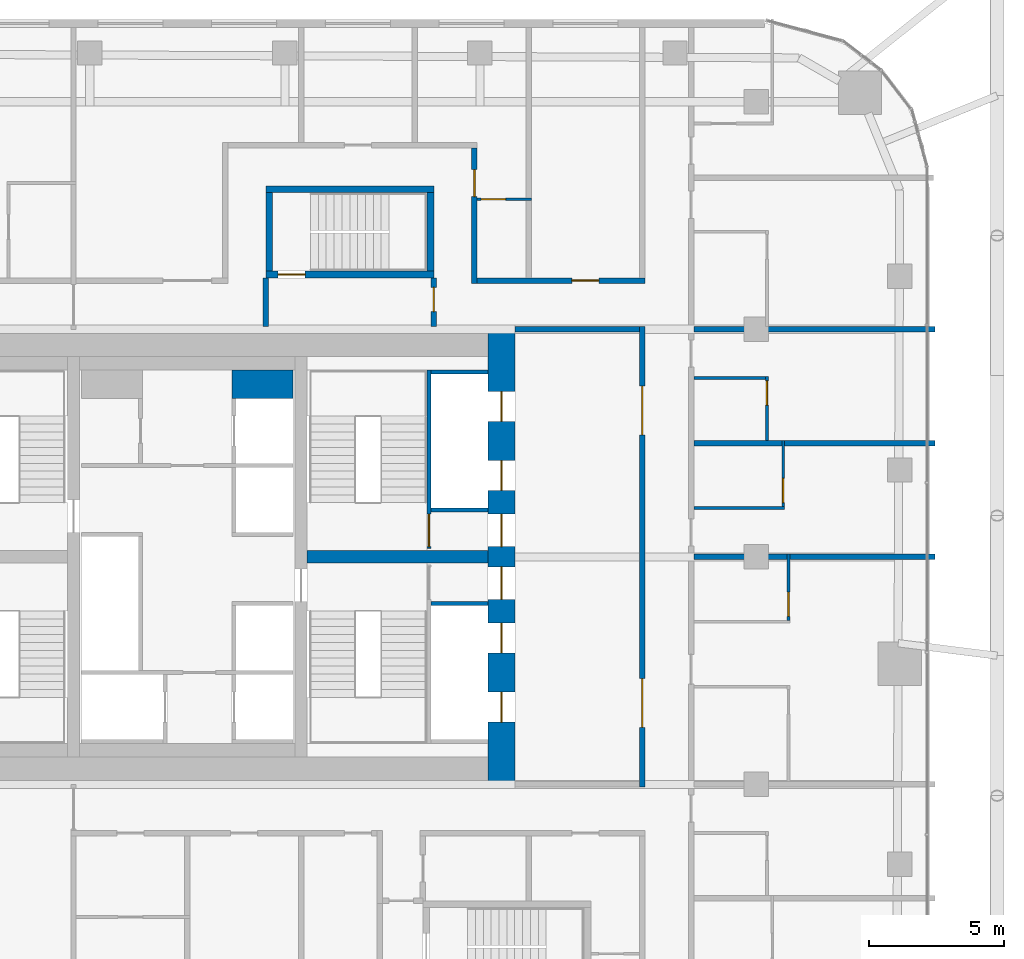
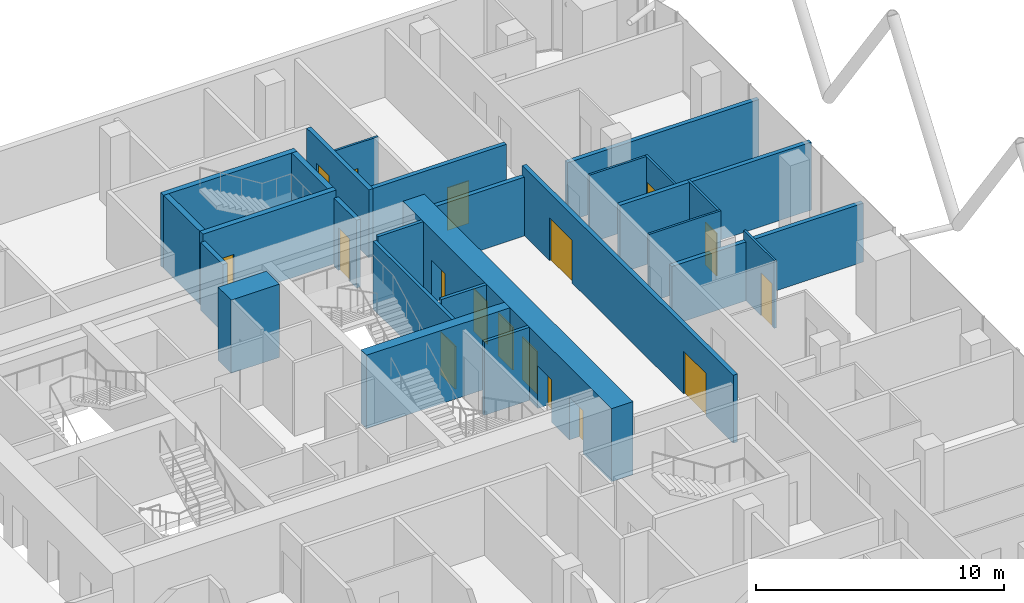
# One storey, part 33 of 36: 26 walls, 17 doors, 17 openings.
"""IFC4 building model written with IfcOpenShell, lengths in metres."""

from ifc_helpers import new_model, si_unit, direction, frame, frame_2d, origin, place, context, subcontext, project, spatial, rectangle, extrude, material, layer, layer_set, type_object, element, fill, save


model = new_model("IFC4")

# Units and contexts
model_context = context("Model", 3, precision=1e-05, world=origin(), true_north=direction((0.0, 1.0)))
body_context = subcontext(model_context, "Body", "Model", "MODEL_VIEW")
ifc_project = project(units=[si_unit("LENGTHUNIT", "METRE"), si_unit("AREAUNIT", "SQUARE_METRE"), si_unit("VOLUMEUNIT", "CUBIC_METRE"), si_unit("PLANEANGLEUNIT", "RADIAN"), si_unit("MASSUNIT", "GRAM", prefix="KILO")], contexts=[model_context])

# Site, building, storey
site_placement = place(None, origin())
site = spatial("IfcSite", under=ifc_project, at=site_placement, CompositionType="ELEMENT")
building_placement = place(site_placement, origin())
building = spatial("IfcBuilding", under=site, at=building_placement, Name="Marenta Gate Hotel Tower", CompositionType="ELEMENT")
storey_placement = place(building_placement, frame((0.0, 0.0, 130.10009765625)))
storey = spatial("IfcBuildingStorey", under=building, at=storey_placement, Name="L29", CompositionType="ELEMENT", Elevation=130.10009765625)

# Wall, openings, doors
ifc_material_1 = material(Name="Concrete blockwork", Category="masonry")
ifc_layer_1 = layer(ifc_material_1, 0.199951171875)
ifc_layer_set_1 = layer_set([ifc_layer_1], Name="Concrete blockwork")
wall_type_1 = type_object("IfcWallType", Name="Core boundary wall 200 REI 180", PredefinedType="PARTITIONING", material=ifc_layer_set_1)
wall_1_placement = place(storey_placement, frame((16.800048828125, -0.10009765625, 0.0), z_axis=(0.0, 0.0, 1.0), x_axis=(0.0, 1.0, 0.0)))
wall_1 = element("IfcWall", 1, at=wall_1_placement, inside=storey, type_object=wall_type_1, Name="L29-CP-BW-E", PredefinedType="PARTITIONING", context=body_context, shape_type="SweptSolid", body=[
    extrude(rectangle(XDim=17.0, YDim=0.199951171875, at=frame_2d((8.5, 0.0))), origin(), (0.0, 0.0, 1.0), 3.33984375),
])
opening_1_placement = place(wall_1_placement, frame((2.199951171875, 0.0, 0.0)))
opening_1 = element("IfcOpeningElement", 2, at=opening_1_placement, cuts=wall_1, Name="Opening ED-Ea-B", PredefinedType="OPENING", context=body_context, shape_type="SweptSolid", body=[
    extrude(rectangle(XDim=1.800048828125, YDim=2.10009765625, at=frame_2d((0.89990234375, 1.050048828125))), frame((0.0, 0.10009765625, 0.0), z_axis=(0.0, -1.0, 0.0), x_axis=(1.0, 0.0, 0.0)), (0.0, 0.0, 1.0), 0.199951171875),
])
opening_2_placement = place(wall_1_placement, frame((13.0, 0.0, 0.0)))
opening_2 = element("IfcOpeningElement", 3, at=opening_2_placement, cuts=wall_1, Name="Opening ED-Eb-B", PredefinedType="OPENING", context=body_context, shape_type="SweptSolid", body=[
    extrude(rectangle(XDim=1.800048828125, YDim=2.10009765625, at=frame_2d((0.89990234375, 1.050048828125))), frame((0.0, 0.10009765625, 0.0), z_axis=(0.0, -1.0, 0.0), x_axis=(1.0, 0.0, 0.0)), (0.0, 0.0, 1.0), 0.199951171875),
])
ifc_material_2 = material(Name="Steel", Category="steel")
door_type_1 = type_object("IfcDoorType", Name="Core lobby entrance door 1800x2100 EI 60", OperationType="DOUBLE_DOOR_SINGLE_SWING", PredefinedType="DOOR", material=ifc_material_2)
door_1_placement = place(opening_1_placement, origin())
door_1 = element("IfcDoor", 4, at=door_1_placement, inside=storey, type_object=door_type_1, Name="ED-Ea-B", OperationType="DOUBLE_DOOR_SINGLE_SWING", OverallHeight=2.10009765625, OverallWidth=1.800048828125, PredefinedType="DOOR", context=body_context, shape_type="SweptSolid", body=[
    extrude(rectangle(XDim=1.800048828125, YDim=2.10009765625, at=frame_2d((0.89990234375, 1.050048828125))), frame((0.0, 0.02490234375, 0.0), z_axis=(0.0, -1.0, 0.0), x_axis=(1.0, 0.0, 0.0)), (0.0, 0.0, 1.0), 0.050048828125),
])
fill(opening_1, door_1)
door_2_placement = place(opening_2_placement, origin())
door_2 = element("IfcDoor", 5, at=door_2_placement, inside=storey, type_object=door_type_1, Name="ED-Eb-B", OperationType="DOUBLE_DOOR_SINGLE_SWING", OverallHeight=2.10009765625, OverallWidth=1.800048828125, PredefinedType="DOOR", context=body_context, shape_type="SweptSolid", body=[
    extrude(rectangle(XDim=1.800048828125, YDim=2.10009765625, at=frame_2d((0.89990234375, 1.050048828125))), frame((0.0, 0.02490234375, 0.0), z_axis=(0.0, -1.0, 0.0), x_axis=(1.0, 0.0, 0.0)), (0.0, 0.0, 1.0), 0.050048828125),
])
fill(opening_2, door_2)

# Walls
wall_2_placement = place(storey_placement, frame((12.10009765625, 16.800048828125, 0.0), z_axis=(0.0, 0.0, 1.0), x_axis=(1.0, 0.0, 0.0)))
element("IfcWall", 6, at=wall_2_placement, inside=storey, type_object=wall_type_1, Name="L29-CP-EW-EN", PredefinedType="PARTITIONING", context=body_context, shape_type="SweptSolid", body=[
    extrude(rectangle(XDim=4.599853515625, YDim=0.199951171875, at=frame_2d((2.2998046875, 0.0))), origin(), (0.0, 0.0, 1.0), 2.889892578125),
])
ifc_material_3 = material(Name="Concrete C40", Category="concrete")
ifc_layer_2 = layer(ifc_material_3, 1.050048828125)
ifc_layer_set_2 = layer_set([ifc_layer_2], Name="Concrete C40")
wall_type_2 = type_object("IfcWallType", Name="Core shaft wall 1050 REI 180", PredefinedType="SHEAR", material=ifc_layer_set_2)
wall_3_placement = place(storey_placement, frame((1.64990234375, 14.77490234375, 0.0), z_axis=(0.0, 0.0, 1.0), x_axis=(1.0, 0.0, 0.0)))
element("IfcWall", 7, at=wall_3_placement, inside=storey, type_object=wall_type_2, Name="L29-SHF-CE-N-top", PredefinedType="SHEAR", context=body_context, shape_type="SweptSolid", body=[
    extrude(rectangle(XDim=2.25, YDim=1.050048828125, at=frame_2d((1.125, 0.0))), origin(), (0.0, 0.0, 1.0), 3.599853515625),
])
ifc_material_4 = material(Name="Concrete C40", Category="concrete")
ifc_layer_3 = layer(ifc_material_4, 0.14990234375)
ifc_layer_set_3 = layer_set([ifc_layer_3], Name="Concrete C40")
wall_type_3 = type_object("IfcWallType", Name="Core shaft wall 150 REI 180", PredefinedType="SHEAR", material=ifc_layer_set_3)
for number, where, z_axis, x_axis, name in (
    (8, (9.0, 6.675048828125, 0.0), (0.0, 0.0, 1.0), (1.0, 0.0, 0.0), "L29-SHF-SW-ES-2"),
    (9, (9.0, 10.125, 0.0), (0.0, 0.0, 1.0), (1.0, 0.0, 0.0), "L29-SHF-SW-EN-2"),
    (10, (9.0, 15.22509765625, 0.0), (0.0, 0.0, 1.0), (1.0, 0.0, 0.0), "L29-SHF-SW-EN-5"),
):
    element("IfcWall", number, at=place(storey_placement, frame(where, z_axis=z_axis, x_axis=x_axis)), inside=storey, type_object=wall_type_3, Name=name, PredefinedType="SHEAR", context=body_context, shape_type="SweptSolid", body=[
        extrude(rectangle(XDim=2.10009765625, YDim=0.14990234375, at=frame_2d((1.050048828125, 0.0))), origin(), (0.0, 0.0, 1.0), 3.599853515625),
    ])

# Wall, opening, door
ifc_material_5 = material(Name="Concrete C40", Category="concrete")
ifc_layer_4 = layer(ifc_material_5, 0.14990234375)
ifc_layer_set_4 = layer_set([ifc_layer_4], Name="Concrete C40")
wall_type_4 = type_object("IfcWallType", Name="Core stair enclosure wall 150 REI 180", PredefinedType="SHEAR", material=ifc_layer_set_4)
wall_4_placement = place(storey_placement, frame((8.925048828125, 8.699951171875, 0.0), z_axis=(0.0, 0.0, 1.0), x_axis=(0.0, 1.0, 0.0)))
wall_4 = element("IfcWall", 11, at=wall_4_placement, inside=storey, type_object=wall_type_4, Name="L29-SHF-SW-EN-3", PredefinedType="SHEAR", context=body_context, shape_type="SweptSolid", body=[
    extrude(rectangle(XDim=6.60009765625, YDim=0.14990234375, at=frame_2d((3.300048828125, 0.0))), origin(), (0.0, 0.0, 1.0), 3.33984375),
])
opening_3_placement = place(wall_4_placement, frame((0.074951171875, 0.0, 0.0)))
opening_3 = element("IfcOpeningElement", 12, at=opening_3_placement, cuts=wall_4, Name="Opening SD-EN", PredefinedType="OPENING", context=body_context, shape_type="SweptSolid", body=[
    extrude(rectangle(XDim=1.199951171875, YDim=2.10009765625, at=frame_2d((0.60009765625, 1.050048828125))), frame((0.0, 0.074951171875, 0.0), z_axis=(0.0, -1.0, 0.0), x_axis=(1.0, 0.0, 0.0)), (0.0, 0.0, 1.0), 0.14990234375),
])
ifc_material_6 = material(Name="Steel", Category="steel")
door_type_2 = type_object("IfcDoorType", Name="Core stair door 1200x2100 FD60", OperationType="SINGLE_SWING_LEFT", PredefinedType="DOOR", material=ifc_material_6)
door_3_placement = place(opening_3_placement, origin())
door_3 = element("IfcDoor", 13, at=door_3_placement, inside=storey, type_object=door_type_2, Name="SD-EN", OperationType="SINGLE_SWING_LEFT", OverallHeight=2.10009765625, OverallWidth=1.199951171875, PredefinedType="DOOR", context=body_context, shape_type="SweptSolid", body=[
    extrude(rectangle(XDim=1.199951171875, YDim=2.10009765625, at=frame_2d((0.60009765625, 1.050048828125))), frame((0.0, 0.02490234375, 0.0), z_axis=(0.0, -1.0, 0.0), x_axis=(1.0, 0.0, 0.0)), (0.0, 0.0, 1.0), 0.050048828125),
])
fill(opening_3, door_3)

# Wall, openings, doors
ifc_material_7 = material(Name="Concrete C70", Category="concrete")
ifc_layer_5 = layer(ifc_material_7, 1.0)
ifc_layer_set_5 = layer_set([ifc_layer_5], Name="Concrete C70")
wall_type_5 = type_object("IfcWallType", Name="Core wall 1000 C70", PredefinedType="SHEAR", material=ifc_layer_set_5)
wall_5_placement = place(storey_placement, frame((11.60009765625, 0.0, 0.0), z_axis=(0.0, 0.0, 1.0), x_axis=(0.0, 1.0, 0.0)))
wall_5 = element("IfcWall", 14, at=wall_5_placement, inside=storey, type_object=wall_type_5, Name="L29-CORE-E", PredefinedType="SHEAR", context=body_context, shape_type="SweptSolid", body=[
    extrude(rectangle(XDim=16.800048828125, YDim=1.0, at=frame_2d((8.39990234375, 0.0))), origin(), (0.0, 0.0, 1.0), 3.599853515625),
])
opening_4_placement = place(wall_5_placement, frame((2.300048828125, 0.0, 0.0)))
opening_4 = element("IfcOpeningElement", 15, at=opening_4_placement, cuts=wall_5, Name="Opening LD-HR1", PredefinedType="OPENING", context=body_context, shape_type="SweptSolid", body=[
    extrude(rectangle(XDim=1.10009765625, YDim=2.10009765625, at=frame_2d((0.550048828125, 1.050048828125))), frame((0.0, 0.5, 0.0), z_axis=(0.0, -1.0, 0.0), x_axis=(1.0, 0.0, 0.0)), (0.0, 0.0, 1.0), 1.0),
])
opening_5_placement = place(wall_5_placement, frame((4.85009765625, 0.0, 0.0)))
opening_5 = element("IfcOpeningElement", 16, at=opening_5_placement, cuts=wall_5, Name="Opening LD-HR2", PredefinedType="OPENING", context=body_context, shape_type="SweptSolid", body=[
    extrude(rectangle(XDim=1.10009765625, YDim=2.10009765625, at=frame_2d((0.550048828125, 1.050048828125))), frame((0.0, 0.5, 0.0), z_axis=(0.0, -1.0, 0.0), x_axis=(1.0, 0.0, 0.0)), (0.0, 0.0, 1.0), 1.0),
])
opening_6_placement = place(wall_5_placement, frame((6.824951171875, 0.0, 0.0)))
opening_6 = element("IfcOpeningElement", 17, at=opening_6_placement, cuts=wall_5, Name="Opening PD-ES", PredefinedType="OPENING", context=body_context, shape_type="SweptSolid", body=[
    extrude(rectangle(XDim=1.199951171875, YDim=2.10009765625, at=frame_2d((0.60009765625, 1.050048828125))), frame((0.0, 0.5, 0.0), z_axis=(0.0, -1.0, 0.0), x_axis=(1.0, 0.0, 0.0)), (0.0, 0.0, 1.0), 1.0),
])
opening_7_placement = place(wall_5_placement, frame((13.39990234375, 0.0, 0.0)))
opening_7 = element("IfcOpeningElement", 18, at=opening_7_placement, cuts=wall_5, Name="Opening LD-HR4", PredefinedType="OPENING", context=body_context, shape_type="SweptSolid", body=[
    extrude(rectangle(XDim=1.10009765625, YDim=2.10009765625, at=frame_2d((0.550048828125, 1.050048828125))), frame((0.0, 0.5, 0.0), z_axis=(0.0, -1.0, 0.0), x_axis=(1.0, 0.0, 0.0)), (0.0, 0.0, 1.0), 1.0),
])
opening_8_placement = place(wall_5_placement, frame((10.85009765625, 0.0, 0.0)))
opening_8 = element("IfcOpeningElement", 19, at=opening_8_placement, cuts=wall_5, Name="Opening LD-HR3", PredefinedType="OPENING", context=body_context, shape_type="SweptSolid", body=[
    extrude(rectangle(XDim=1.10009765625, YDim=2.10009765625, at=frame_2d((0.550048828125, 1.050048828125))), frame((0.0, 0.5, 0.0), z_axis=(0.0, -1.0, 0.0), x_axis=(1.0, 0.0, 0.0)), (0.0, 0.0, 1.0), 1.0),
])
opening_9_placement = place(wall_5_placement, frame((8.77490234375, 0.0, 0.0)))
opening_9 = element("IfcOpeningElement", 20, at=opening_9_placement, cuts=wall_5, Name="Opening PD-EN", PredefinedType="OPENING", context=body_context, shape_type="SweptSolid", body=[
    extrude(rectangle(XDim=1.199951171875, YDim=2.10009765625, at=frame_2d((0.60009765625, 1.050048828125))), frame((0.0, 0.5, 0.0), z_axis=(0.0, -1.0, 0.0), x_axis=(1.0, 0.0, 0.0)), (0.0, 0.0, 1.0), 1.0),
])
ifc_material_8 = material(Name="Steel", Category="steel")
door_type_3 = type_object("IfcDoorType", Name="Core lift landing door 1100x2100 E 60", OperationType="SLIDING_TO_LEFT", PredefinedType="DOOR", material=ifc_material_8)
door_4_placement = place(opening_4_placement, origin())
door_4 = element("IfcDoor", 21, at=door_4_placement, inside=storey, type_object=door_type_3, Name="LD-HR1", OperationType="SLIDING_TO_LEFT", OverallHeight=2.10009765625, OverallWidth=1.10009765625, PredefinedType="DOOR", context=body_context, shape_type="SweptSolid", body=[
    extrude(rectangle(XDim=1.10009765625, YDim=2.10009765625, at=frame_2d((0.550048828125, 1.050048828125))), frame((0.0, 0.02490234375, 0.0), z_axis=(0.0, -1.0, 0.0), x_axis=(1.0, 0.0, 0.0)), (0.0, 0.0, 1.0), 0.050048828125),
])
fill(opening_4, door_4)
door_5_placement = place(opening_5_placement, origin())
door_5 = element("IfcDoor", 22, at=door_5_placement, inside=storey, type_object=door_type_3, Name="LD-HR2", OperationType="SLIDING_TO_LEFT", OverallHeight=2.10009765625, OverallWidth=1.10009765625, PredefinedType="DOOR", context=body_context, shape_type="SweptSolid", body=[
    extrude(rectangle(XDim=1.10009765625, YDim=2.10009765625, at=frame_2d((0.550048828125, 1.050048828125))), frame((0.0, 0.02490234375, 0.0), z_axis=(0.0, -1.0, 0.0), x_axis=(1.0, 0.0, 0.0)), (0.0, 0.0, 1.0), 0.050048828125),
])
fill(opening_5, door_5)
door_6_placement = place(opening_7_placement, origin())
door_6 = element("IfcDoor", 23, at=door_6_placement, inside=storey, type_object=door_type_3, Name="LD-HR4", OperationType="SLIDING_TO_LEFT", OverallHeight=2.10009765625, OverallWidth=1.10009765625, PredefinedType="DOOR", context=body_context, shape_type="SweptSolid", body=[
    extrude(rectangle(XDim=1.10009765625, YDim=2.10009765625, at=frame_2d((0.550048828125, 1.050048828125))), frame((0.0, 0.02490234375, 0.0), z_axis=(0.0, -1.0, 0.0), x_axis=(1.0, 0.0, 0.0)), (0.0, 0.0, 1.0), 0.050048828125),
])
fill(opening_7, door_6)
door_7_placement = place(opening_8_placement, origin())
door_7 = element("IfcDoor", 24, at=door_7_placement, inside=storey, type_object=door_type_3, Name="LD-HR3", OperationType="SLIDING_TO_LEFT", OverallHeight=2.10009765625, OverallWidth=1.10009765625, PredefinedType="DOOR", context=body_context, shape_type="SweptSolid", body=[
    extrude(rectangle(XDim=1.10009765625, YDim=2.10009765625, at=frame_2d((0.550048828125, 1.050048828125))), frame((0.0, 0.02490234375, 0.0), z_axis=(0.0, -1.0, 0.0), x_axis=(1.0, 0.0, 0.0)), (0.0, 0.0, 1.0), 0.050048828125),
])
fill(opening_8, door_7)
ifc_material_9 = material(Name="Steel", Category="steel")
door_type_4 = type_object("IfcDoorType", Name="Core lobby door 1200x2100 FD60", OperationType="SINGLE_SWING_LEFT", PredefinedType="DOOR", material=ifc_material_9)
door_8_placement = place(opening_6_placement, origin())
door_8 = element("IfcDoor", 25, at=door_8_placement, inside=storey, type_object=door_type_4, Name="PD-ES", OperationType="SINGLE_SWING_LEFT", OverallHeight=2.10009765625, OverallWidth=1.199951171875, PredefinedType="DOOR", context=body_context, shape_type="SweptSolid", body=[
    extrude(rectangle(XDim=1.199951171875, YDim=2.10009765625, at=frame_2d((0.60009765625, 1.050048828125))), frame((0.0, 0.02490234375, 0.0), z_axis=(0.0, -1.0, 0.0), x_axis=(1.0, 0.0, 0.0)), (0.0, 0.0, 1.0), 0.050048828125),
])
fill(opening_6, door_8)
door_9_placement = place(opening_9_placement, origin())
door_9 = element("IfcDoor", 26, at=door_9_placement, inside=storey, type_object=door_type_4, Name="PD-EN", OperationType="SINGLE_SWING_LEFT", OverallHeight=2.10009765625, OverallWidth=1.199951171875, PredefinedType="DOOR", context=body_context, shape_type="SweptSolid", body=[
    extrude(rectangle(XDim=1.199951171875, YDim=2.10009765625, at=frame_2d((0.60009765625, 1.050048828125))), frame((0.0, 0.02490234375, 0.0), z_axis=(0.0, -1.0, 0.0), x_axis=(1.0, 0.0, 0.0)), (0.0, 0.0, 1.0), 0.050048828125),
])
fill(opening_9, door_9)

# Wall
ifc_material_10 = material(Name="Concrete C70", Category="concrete")
ifc_layer_6 = layer(ifc_material_10, 0.449951171875)
ifc_layer_set_6 = layer_set([ifc_layer_6], Name="Concrete C70")
wall_type_6 = type_object("IfcWallType", Name="Core web 450 C70", PredefinedType="SHEAR", material=ifc_layer_set_6)
wall_6_placement = place(storey_placement, frame((4.425048828125, 8.39990234375, 0.0), z_axis=(0.0, 0.0, 1.0), x_axis=(1.0, 0.0, 0.0)))
element("IfcWall", 27, at=wall_6_placement, inside=storey, type_object=wall_type_6, Name="L29-CORE-W4", PredefinedType="SHEAR", context=body_context, shape_type="SweptSolid", body=[
    extrude(rectangle(XDim=6.675048828125, YDim=0.449951171875, at=frame_2d((3.33740234375, 0.0))), origin(), (0.0, 0.0, 1.0), 3.599853515625),
])

# Wall, opening, door
ifc_material_11 = material(Name="Concrete C40", Category="concrete")
ifc_layer_7 = layer(ifc_material_11, 0.25)
ifc_layer_set_7 = layer_set([ifc_layer_7], Name="Concrete C40")
wall_type_7 = type_object("IfcWallType", Name="Remote stair enclosure wall 250 REI 180", PredefinedType="SHEAR", material=ifc_layer_set_7)
wall_7_placement = place(storey_placement, frame((2.89990234375, 18.824951171875, 0.099853515625), z_axis=(0.0, 0.0, 1.0), x_axis=(1.0, 0.0, 0.0)))
wall_7 = element("IfcWall", 28, at=wall_7_placement, inside=storey, type_object=wall_type_7, Name="L29-RS-Z2-4-W1", PredefinedType="SHEAR", context=body_context, shape_type="SweptSolid", body=[
    extrude(rectangle(XDim=6.2001953125, YDim=0.25, at=frame_2d((3.10009765625, 0.0))), origin(), (0.0, 0.0, 1.0), 3.60009765625),
])
opening_10_placement = place(wall_7_placement, frame((0.449951171875, 0.0, 0.0)))
opening_10 = element("IfcOpeningElement", 29, at=opening_10_placement, cuts=wall_7, Name="Opening VD", PredefinedType="OPENING", context=body_context, shape_type="SweptSolid", body=[
    extrude(rectangle(XDim=1.0, YDim=2.10009765625, at=frame_2d((0.5, 1.050048828125))), frame((0.0, 0.125, 0.0), z_axis=(0.0, -1.0, 0.0), x_axis=(1.0, 0.0, 0.0)), (0.0, 0.0, 1.0), 0.25),
])
ifc_material_12 = material(Name="Steel", Category="steel")
door_type_5 = type_object("IfcDoorType", Name="Stair vestibule door 1000x2100 FD60", OperationType="SINGLE_SWING_LEFT", PredefinedType="DOOR", material=ifc_material_12)
door_10_placement = place(opening_10_placement, origin())
door_10 = element("IfcDoor", 30, at=door_10_placement, inside=storey, type_object=door_type_5, Name="VD", OperationType="SINGLE_SWING_LEFT", OverallHeight=2.10009765625, OverallWidth=1.0, PredefinedType="DOOR", context=body_context, shape_type="SweptSolid", body=[
    extrude(rectangle(XDim=1.0, YDim=2.10009765625, at=frame_2d((0.5, 1.050048828125))), frame((0.0, 0.02490234375, 0.0), z_axis=(0.0, -1.0, 0.0), x_axis=(1.0, 0.0, 0.0)), (0.0, 0.0, 1.0), 0.050048828125),
])
fill(opening_10, door_10)

# Walls
wall_8_placement = place(storey_placement, frame((2.89990234375, 21.97509765625, 0.099853515625), z_axis=(0.0, 0.0, 1.0), x_axis=(1.0, 0.0, 0.0)))
element("IfcWall", 31, at=wall_8_placement, inside=storey, type_object=wall_type_7, Name="L29-RS-Z2-4-W2", PredefinedType="SHEAR", context=body_context, shape_type="SweptSolid", body=[
    extrude(rectangle(XDim=6.2001953125, YDim=0.25, at=frame_2d((3.10009765625, 0.0))), origin(), (0.0, 0.0, 1.0), 3.60009765625),
])
for number, where, z_axis, x_axis, name in (
    (32, (3.02490234375, 18.949951171875, 0.099853515625), (0.0, 0.0, 1.0), (0.0, 1.0, 0.0), "L29-RS-Z2-4-W3"),
    (33, (8.97509765625, 18.949951171875, 0.099853515625), (0.0, 0.0, 1.0), (0.0, 1.0, 0.0), "L29-RS-Z2-4-W4"),
):
    element("IfcWall", number, at=place(storey_placement, frame(where, z_axis=z_axis, x_axis=x_axis)), inside=storey, type_object=wall_type_7, Name=name, PredefinedType="SHEAR", context=body_context, shape_type="SweptSolid", body=[
        extrude(rectangle(XDim=2.900146484375, YDim=0.25, at=frame_2d((1.4501953125, 0.0))), origin(), (0.0, 0.0, 1.0), 3.60009765625),
    ])

# Wall, opening, door
ifc_material_13 = material(Name="Gypsum board on steel stud", Category="steel")
ifc_layer_8 = layer(ifc_material_13, 0.199951171875)
ifc_layer_set_8 = layer_set([ifc_layer_8], Name="Gypsum board on steel stud")
wall_type_8 = type_object("IfcWallType", Name="Room corridor wall 200 EI 60", PredefinedType="PARTITIONING", material=ifc_layer_set_8)
wall_9_placement = place(storey_placement, frame((10.60009765625, 18.5, 0.0), z_axis=(0.0, 0.0, 1.0), x_axis=(0.0, 1.0, 0.0)))
wall_9 = element("IfcWall", 34, at=wall_9_placement, inside=storey, type_object=wall_type_8, Name="L29-PTN-W042", PredefinedType="PARTITIONING", context=body_context, shape_type="SweptSolid", body=[
    extrude(rectangle(XDim=5.0, YDim=0.199951171875, at=frame_2d((2.5, 0.0))), origin(), (0.0, 0.0, 1.0), 3.33984375),
])
opening_11_placement = place(wall_9_placement, frame((3.199951171875, 0.0, 0.0)))
opening_11 = element("IfcOpeningElement", 35, at=opening_11_placement, cuts=wall_9, Name="Opening G10-37", PredefinedType="OPENING", context=body_context, shape_type="SweptSolid", body=[
    extrude(rectangle(XDim=1.0, YDim=2.10009765625, at=frame_2d((0.5, 1.050048828125))), frame((0.0, 0.10009765625, 0.0), z_axis=(0.0, -1.0, 0.0), x_axis=(1.0, 0.0, 0.0)), (0.0, 0.0, 1.0), 0.199951171875),
])
ifc_material_14 = material(Name="Timber door leaf", Category="wood")
door_type_6 = type_object("IfcDoorType", Name="Guest room door 1000x2100 EI 30", OperationType="NOTDEFINED", PredefinedType="DOOR", material=ifc_material_14)
door_11_placement = place(opening_11_placement, origin())
door_11 = element("IfcDoor", 36, at=door_11_placement, inside=storey, type_object=door_type_6, Name="L29-PD-D037", OperationType="SINGLE_SWING_LEFT", OverallHeight=2.10009765625, OverallWidth=1.0, PredefinedType="DOOR", context=body_context, shape_type="SweptSolid", body=[
    extrude(rectangle(XDim=1.0, YDim=2.10009765625, at=frame_2d((0.5, 1.050048828125))), frame((0.0, 0.02490234375, 0.0), z_axis=(0.0, -1.0, 0.0), x_axis=(1.0, 0.0, 0.0)), (0.0, 0.0, 1.0), 0.050048828125),
])
fill(opening_11, door_11)

wall_10_placement = place(storey_placement, frame((10.699951171875, 18.60009765625, 0.0), z_axis=(0.0, 0.0, 1.0), x_axis=(1.0, 0.0, 0.0)))
wall_10 = element("IfcWall", 37, at=wall_10_placement, inside=storey, type_object=wall_type_8, Name="L29-PTN-W114", PredefinedType="PARTITIONING", context=body_context, shape_type="SweptSolid", body=[
    extrude(rectangle(XDim=6.199951171875, YDim=0.199951171875, at=frame_2d((3.10009765625, 0.0))), origin(), (0.0, 0.0, 1.0), 3.33984375),
])
opening_12_placement = place(wall_10_placement, frame((3.5, 0.0, 0.0)))
opening_12 = element("IfcOpeningElement", 38, at=opening_12_placement, cuts=wall_10, Name="Opening G10-39", PredefinedType="OPENING", context=body_context, shape_type="SweptSolid", body=[
    extrude(rectangle(XDim=1.0, YDim=2.10009765625, at=frame_2d((0.5, 1.050048828125))), frame((0.0, 0.10009765625, 0.0), z_axis=(0.0, -1.0, 0.0), x_axis=(1.0, 0.0, 0.0)), (0.0, 0.0, 1.0), 0.199951171875),
])
ifc_material_15 = material(Name="Timber door leaf", Category="wood")
door_type_7 = type_object("IfcDoorType", Name="Room amenity door 1000x2100 EI 30", OperationType="NOTDEFINED", PredefinedType="DOOR", material=ifc_material_15)
door_12_placement = place(opening_12_placement, origin())
door_12 = element("IfcDoor", 39, at=door_12_placement, inside=storey, type_object=door_type_7, Name="L29-PD-D039", OperationType="SINGLE_SWING_RIGHT", OverallHeight=2.10009765625, OverallWidth=1.0, PredefinedType="DOOR", context=body_context, shape_type="SweptSolid", body=[
    extrude(rectangle(XDim=1.0, YDim=2.10009765625, at=frame_2d((0.5, 1.050048828125))), frame((0.0, 0.02490234375, 0.0), z_axis=(0.0, -1.0, 0.0), x_axis=(1.0, 0.0, 0.0)), (0.0, 0.0, 1.0), 0.050048828125),
])
fill(opening_12, door_12)

ifc_material_16 = material(Name="Concrete blockwork", Category="masonry")
ifc_layer_9 = layer(ifc_material_16, 0.199951171875)
ifc_layer_set_9 = layer_set([ifc_layer_9], Name="Concrete blockwork")
wall_type_9 = type_object("IfcWallType", Name="Room corridor wall 200 REI 180", PredefinedType="PARTITIONING", material=ifc_layer_set_9)
wall_11_placement = place(storey_placement, frame((9.10009765625, 16.89990234375, 0.0), z_axis=(0.0, 0.0, 1.0), x_axis=(0.0, 1.0, 0.0)))
wall_11 = element("IfcWall", 40, at=wall_11_placement, inside=storey, type_object=wall_type_9, Name="L29-PTN-W043", PredefinedType="PARTITIONING", context=body_context, shape_type="SweptSolid", body=[
    extrude(rectangle(XDim=1.800048828125, YDim=0.199951171875, at=frame_2d((0.89990234375, 0.0))), origin(), (0.0, 0.0, 1.0), 3.33984375),
])
opening_13_placement = place(wall_11_placement, frame((0.550048828125, 0.0, 0.0)))
opening_13 = element("IfcOpeningElement", 41, at=opening_13_placement, cuts=wall_11, Name="Opening G10-72", PredefinedType="OPENING", context=body_context, shape_type="SweptSolid", body=[
    extrude(rectangle(XDim=0.89990234375, YDim=2.10009765625, at=frame_2d((0.449951171875, 1.050048828125))), frame((0.0, 0.10009765625, 0.0), z_axis=(0.0, -1.0, 0.0), x_axis=(1.0, 0.0, 0.0)), (0.0, 0.0, 1.0), 0.199951171875),
])
ifc_material_17 = material(Name="Hollow steel door set", Category="steel")
door_type_8 = type_object("IfcDoorType", Name="Stair vestibule door 900x2100 EI 60", OperationType="NOTDEFINED", PredefinedType="DOOR", material=ifc_material_17)
door_13_placement = place(opening_13_placement, origin())
door_13 = element("IfcDoor", 42, at=door_13_placement, inside=storey, type_object=door_type_8, Name="L29-PD-D072", OperationType="SINGLE_SWING_RIGHT", OverallHeight=2.10009765625, OverallWidth=0.89990234375, PredefinedType="DOOR", context=body_context, shape_type="SweptSolid", body=[
    extrude(rectangle(XDim=0.89990234375, YDim=2.10009765625, at=frame_2d((0.449951171875, 1.050048828125))), frame((0.0, 0.02490234375, 0.0), z_axis=(0.0, -1.0, 0.0), x_axis=(1.0, 0.0, 0.0)), (0.0, 0.0, 1.0), 0.050048828125),
])
fill(opening_13, door_13)

# Wall
wall_12_placement = place(storey_placement, frame((2.89990234375, 16.89990234375, 0.0), z_axis=(0.0, 0.0, 1.0), x_axis=(0.0, 1.0, 0.0)))
element("IfcWall", 43, at=wall_12_placement, inside=storey, type_object=wall_type_9, Name="L29-PTN-W065", PredefinedType="PARTITIONING", context=body_context, shape_type="SweptSolid", body=[
    extrude(rectangle(XDim=1.800048828125, YDim=0.199951171875, at=frame_2d((0.89990234375, 0.0))), origin(), (0.0, 0.0, 1.0), 3.33984375),
])

# Wall, opening, door
ifc_material_18 = material(Name="Gypsum board on steel stud", Category="steel")
ifc_layer_10 = layer(ifc_material_18, 0.10009765625)
ifc_layer_set_10 = layer_set([ifc_layer_10], Name="Gypsum board on steel stud")
wall_type_10 = type_object("IfcWallType", Name="Room partition 100", PredefinedType="PARTITIONING", material=ifc_layer_set_10)
wall_13_placement = place(storey_placement, frame((22.199951171875, 6.050048828125, 0.0), z_axis=(0.0, 0.0, 1.0), x_axis=(0.0, 1.0, 0.0)))
wall_13 = element("IfcWall", 44, at=wall_13_placement, inside=storey, type_object=wall_type_10, Name="L29-PTN-W003", PredefinedType="PARTITIONING", context=body_context, shape_type="SweptSolid", body=[
    extrude(rectangle(XDim=2.449951171875, YDim=0.10009765625, at=frame_2d((1.22509765625, 0.0))), origin(), (0.0, 0.0, 1.0), 3.33984375),
])
opening_14_placement = place(wall_13_placement, frame((0.14990234375, 0.0, 0.0)))
opening_14 = element("IfcOpeningElement", 45, at=opening_14_placement, cuts=wall_13, Name="Opening G10-21", PredefinedType="OPENING", context=body_context, shape_type="SweptSolid", body=[
    extrude(rectangle(XDim=0.89990234375, YDim=2.10009765625, at=frame_2d((0.449951171875, 1.050048828125))), frame((0.0, 0.050048828125, 0.0), z_axis=(0.0, -1.0, 0.0), x_axis=(1.0, 0.0, 0.0)), (0.0, 0.0, 1.0), 0.10009765625),
])
ifc_material_19 = material(Name="Timber door leaf", Category="wood")
door_type_9 = type_object("IfcDoorType", Name="Room inner door 900x2100", OperationType="NOTDEFINED", PredefinedType="DOOR", material=ifc_material_19)
door_14_placement = place(opening_14_placement, origin())
door_14 = element("IfcDoor", 46, at=door_14_placement, inside=storey, type_object=door_type_9, Name="L29-PD-D021", OperationType="SINGLE_SWING_LEFT", OverallHeight=2.10009765625, OverallWidth=0.89990234375, PredefinedType="DOOR", context=body_context, shape_type="SweptSolid", body=[
    extrude(rectangle(XDim=0.89990234375, YDim=2.10009765625, at=frame_2d((0.449951171875, 1.050048828125))), frame((0.0, 0.02490234375, 0.0), z_axis=(0.0, -1.0, 0.0), x_axis=(1.0, 0.0, 0.0)), (0.0, 0.0, 1.0), 0.050048828125),
])
fill(opening_14, door_14)

wall_14_placement = place(storey_placement, frame((22.0, 10.25, 0.0), z_axis=(0.0, 0.0, 1.0), x_axis=(0.0, 1.0, 0.0)))
wall_14 = element("IfcWall", 47, at=wall_14_placement, inside=storey, type_object=wall_type_10, Name="L29-PTN-W004", PredefinedType="PARTITIONING", context=body_context, shape_type="SweptSolid", body=[
    extrude(rectangle(XDim=2.449951171875, YDim=0.10009765625, at=frame_2d((1.22509765625, 0.0))), origin(), (0.0, 0.0, 1.0), 3.33984375),
])
opening_15_placement = place(wall_14_placement, frame((0.14990234375, 0.0, 0.0)))
opening_15 = element("IfcOpeningElement", 48, at=opening_15_placement, cuts=wall_14, Name="Opening G10-23", PredefinedType="OPENING", context=body_context, shape_type="SweptSolid", body=[
    extrude(rectangle(XDim=0.89990234375, YDim=2.10009765625, at=frame_2d((0.449951171875, 1.050048828125))), frame((0.0, 0.050048828125, 0.0), z_axis=(0.0, -1.0, 0.0), x_axis=(1.0, 0.0, 0.0)), (0.0, 0.0, 1.0), 0.10009765625),
])
ifc_material_20 = material(Name="Timber door leaf", Category="wood")
door_type_10 = type_object("IfcDoorType", Name="Guest bathroom door 900x2100", OperationType="NOTDEFINED", PredefinedType="DOOR", material=ifc_material_20)
door_15_placement = place(opening_15_placement, origin())
door_15 = element("IfcDoor", 49, at=door_15_placement, inside=storey, type_object=door_type_10, Name="L29-PD-D023", OperationType="SINGLE_SWING_LEFT", OverallHeight=2.10009765625, OverallWidth=0.89990234375, PredefinedType="DOOR", context=body_context, shape_type="SweptSolid", body=[
    extrude(rectangle(XDim=0.89990234375, YDim=2.10009765625, at=frame_2d((0.449951171875, 1.050048828125))), frame((0.0, 0.02490234375, 0.0), z_axis=(0.0, -1.0, 0.0), x_axis=(1.0, 0.0, 0.0)), (0.0, 0.0, 1.0), 0.050048828125),
])
fill(opening_15, door_15)

wall_15_placement = place(storey_placement, frame((21.39990234375, 12.699951171875, 0.0), z_axis=(0.0, 0.0, 1.0), x_axis=(0.0, 1.0, 0.0)))
wall_15 = element("IfcWall", 50, at=wall_15_placement, inside=storey, type_object=wall_type_10, Name="L29-PTN-W009", PredefinedType="PARTITIONING", context=body_context, shape_type="SweptSolid", body=[
    extrude(rectangle(XDim=2.35009765625, YDim=0.10009765625, at=frame_2d((1.175048828125, 0.0))), origin(), (0.0, 0.0, 1.0), 3.33984375),
])
opening_16_placement = place(wall_15_placement, frame((1.300048828125, 0.0, 0.0)))
opening_16 = element("IfcOpeningElement", 51, at=opening_16_placement, cuts=wall_15, Name="Opening G10-25", PredefinedType="OPENING", context=body_context, shape_type="SweptSolid", body=[
    extrude(rectangle(XDim=0.89990234375, YDim=2.10009765625, at=frame_2d((0.449951171875, 1.050048828125))), frame((0.0, 0.050048828125, 0.0), z_axis=(0.0, -1.0, 0.0), x_axis=(1.0, 0.0, 0.0)), (0.0, 0.0, 1.0), 0.10009765625),
])
door_16_placement = place(opening_16_placement, origin())
door_16 = element("IfcDoor", 52, at=door_16_placement, inside=storey, type_object=door_type_10, Name="L29-PD-D025", OperationType="SINGLE_SWING_RIGHT", OverallHeight=2.10009765625, OverallWidth=0.89990234375, PredefinedType="DOOR", context=body_context, shape_type="SweptSolid", body=[
    extrude(rectangle(XDim=0.89990234375, YDim=2.10009765625, at=frame_2d((0.449951171875, 1.050048828125))), frame((0.0, 0.02490234375, 0.0), z_axis=(0.0, -1.0, 0.0), x_axis=(1.0, 0.0, 0.0)), (0.0, 0.0, 1.0), 0.050048828125),
])
fill(opening_16, door_16)

# Walls
wall_16_placement = place(storey_placement, frame((18.699951171875, 10.199951171875, 0.0), z_axis=(0.0, 0.0, 1.0), x_axis=(1.0, 0.0, 0.0)))
element("IfcWall", 53, at=wall_16_placement, inside=storey, type_object=wall_type_10, Name="L29-PTN-W094", PredefinedType="PARTITIONING", context=body_context, shape_type="SweptSolid", body=[
    extrude(rectangle(XDim=3.35009765625, YDim=0.10009765625, at=frame_2d((1.675048828125, 0.0))), origin(), (0.0, 0.0, 1.0), 3.33984375),
])
wall_17_placement = place(storey_placement, frame((18.699951171875, 15.0, 0.0), z_axis=(0.0, 0.0, 1.0), x_axis=(1.0, 0.0, 0.0)))
element("IfcWall", 54, at=wall_17_placement, inside=storey, type_object=wall_type_10, Name="L29-PTN-W102", PredefinedType="PARTITIONING", context=body_context, shape_type="SweptSolid", body=[
    extrude(rectangle(XDim=2.650146484375, YDim=0.10009765625, at=frame_2d((1.3251953125, 0.0))), origin(), (0.0, 0.0, 1.0), 3.33984375),
])

# Wall, opening, door
wall_18_placement = place(storey_placement, frame((10.699951171875, 21.60009765625, 0.0), z_axis=(0.0, 0.0, 1.0), x_axis=(1.0, 0.0, 0.0)))
wall_18 = element("IfcWall", 55, at=wall_18_placement, inside=storey, type_object=wall_type_10, Name="L29-PTN-W121", PredefinedType="PARTITIONING", context=body_context, shape_type="SweptSolid", body=[
    extrude(rectangle(XDim=2.0, YDim=0.10009765625, at=frame_2d((1.0, 0.0))), origin(), (0.0, 0.0, 1.0), 3.33984375),
])
opening_17_placement = place(wall_18_placement, frame((0.14990234375, 0.0, 0.0)))
opening_17 = element("IfcOpeningElement", 56, at=opening_17_placement, cuts=wall_18, Name="Opening G10-38", PredefinedType="OPENING", context=body_context, shape_type="SweptSolid", body=[
    extrude(rectangle(XDim=0.89990234375, YDim=2.10009765625, at=frame_2d((0.449951171875, 1.050048828125))), frame((0.0, 0.050048828125, 0.0), z_axis=(0.0, -1.0, 0.0), x_axis=(1.0, 0.0, 0.0)), (0.0, 0.0, 1.0), 0.10009765625),
])
door_17_placement = place(opening_17_placement, origin())
door_17 = element("IfcDoor", 57, at=door_17_placement, inside=storey, type_object=door_type_10, Name="L29-PD-D038", OperationType="SINGLE_SWING_RIGHT", OverallHeight=2.10009765625, OverallWidth=0.89990234375, PredefinedType="DOOR", context=body_context, shape_type="SweptSolid", body=[
    extrude(rectangle(XDim=0.89990234375, YDim=2.10009765625, at=frame_2d((0.449951171875, 1.050048828125))), frame((0.0, 0.02490234375, 0.0), z_axis=(0.0, -1.0, 0.0), x_axis=(1.0, 0.0, 0.0)), (0.0, 0.0, 1.0), 0.050048828125),
])
fill(opening_17, door_17)

# Walls
ifc_material_21 = material(Name="Gypsum board on steel stud", Category="steel")
ifc_layer_11 = layer(ifc_material_21, 0.199951171875)
ifc_layer_set_11 = layer_set([ifc_layer_11], Name="Gypsum board on steel stud")
wall_type_11 = type_object("IfcWallType", Name="Room party wall 200 EI 60", PredefinedType="PARTITIONING", material=ifc_layer_set_11)
wall_19_placement = place(storey_placement, frame((18.699951171875, 8.39990234375, 0.0), z_axis=(0.0, 0.0, 1.0), x_axis=(1.0, 0.0, 0.0)))
element("IfcWall", 58, at=wall_19_placement, inside=storey, type_object=wall_type_11, Name="L29-PTN-W089", PredefinedType="PARTITIONING", context=body_context, shape_type="SweptSolid", body=[
    extrude(rectangle(XDim=8.900146484375, YDim=0.199951171875, at=frame_2d((4.4501953125, 0.0))), origin(), (0.0, 0.0, 1.0), 2.889892578125),
])
wall_20_placement = place(storey_placement, frame((18.699951171875, 12.60009765625, 0.0), z_axis=(0.0, 0.0, 1.0), x_axis=(1.0, 0.0, 0.0)))
element("IfcWall", 59, at=wall_20_placement, inside=storey, type_object=wall_type_11, Name="L29-PTN-W099", PredefinedType="PARTITIONING", context=body_context, shape_type="SweptSolid", body=[
    extrude(rectangle(XDim=8.900146484375, YDim=0.199951171875, at=frame_2d((4.4501953125, 0.0))), origin(), (0.0, 0.0, 1.0), 3.33984375),
])
wall_21_placement = place(storey_placement, frame((18.699951171875, 16.800048828125, 0.0), z_axis=(0.0, 0.0, 1.0), x_axis=(1.0, 0.0, 0.0)))
element("IfcWall", 60, at=wall_21_placement, inside=storey, type_object=wall_type_11, Name="L29-PTN-W108", PredefinedType="PARTITIONING", context=body_context, shape_type="SweptSolid", body=[
    extrude(rectangle(XDim=8.900146484375, YDim=0.199951171875, at=frame_2d((4.4501953125, 0.0))), origin(), (0.0, 0.0, 1.0), 2.889892578125),
])

save(model, "model.ifc")
